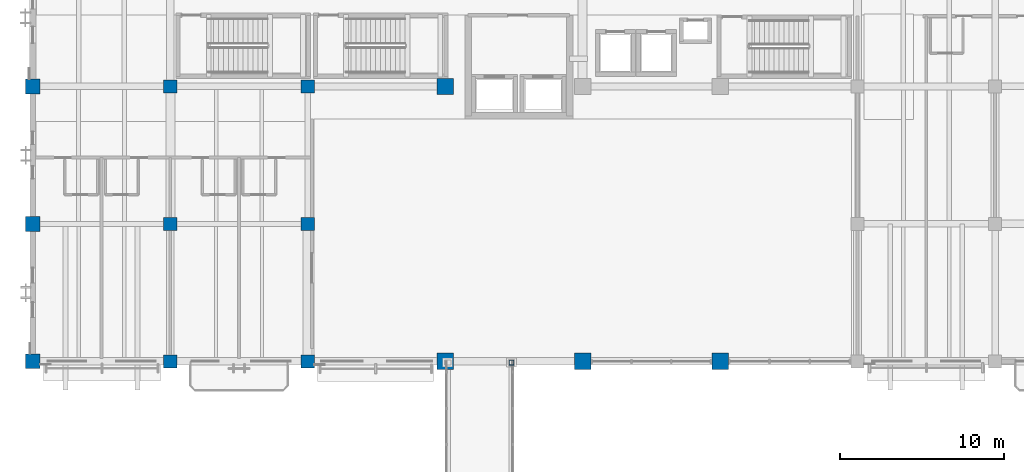
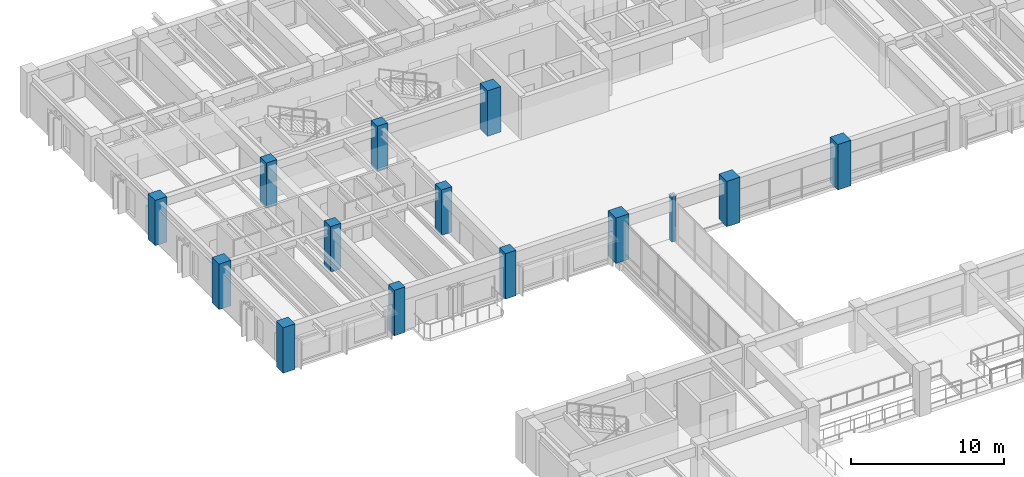
# One storey, part 6 of 118: 14 columns.
"""IFC4 building model written with IfcOpenShell, lengths in metres."""

from ifc_helpers import new_model, si_unit, direction, frame, origin, origin_2d, place, context, subcontext, project, spatial, rectangle, hollow_rectangle, extrude, material, material_profile, profile_set, type_object, element, save


model = new_model("IFC4")

# Units and contexts
model_context = context("Model", 3, precision=1e-05, world=origin(), true_north=direction((0.0, 1.0)))
body_context = subcontext(model_context, "Body", "Model", "MODEL_VIEW")
ifc_project = project(units=[si_unit("LENGTHUNIT", "METRE"), si_unit("AREAUNIT", "SQUARE_METRE"), si_unit("VOLUMEUNIT", "CUBIC_METRE"), si_unit("PLANEANGLEUNIT", "RADIAN"), si_unit("MASSUNIT", "GRAM", prefix="KILO")], contexts=[model_context])

# Site, building, storey
site_placement = place(None, origin())
site = spatial("IfcSite", under=ifc_project, at=site_placement, CompositionType="ELEMENT")
building_placement = place(site_placement, origin())
building = spatial("IfcBuilding", under=site, at=building_placement, Name="Cumbredor Promenade Congress Hotel", CompositionType="ELEMENT")
storey_placement = place(building_placement, frame((0.0, 0.0, 3.919921875)))
storey = spatial("IfcBuildingStorey", under=building, at=storey_placement, Name="L01", CompositionType="ELEMENT", Elevation=3.919921875)

# Columns
ifc_material_1 = material(Name="Concrete C50/60", Category="concrete")
ifc_material_profile_1 = material_profile(ifc_material_1, rectangle(XDim=1.0, YDim=1.0, at=origin_2d()), Name="RC 1000x1000")
ifc_profile_set_1 = profile_set([ifc_material_profile_1], Name="Concrete C50/60")
column_type_1 = type_object("IfcColumnType", Name="COL-RC-1000", PredefinedType="COLUMN", material=ifc_profile_set_1)
for number, where, z_axis, x_axis, name in (
    (1, (25.199951171875, 84.0, 0.0), (0.0, 0.0, 1.0), (1.0, 0.0, 0.0), "L01 Structural Column 036"),
    (2, (25.199951171875, 100.800048828125, 0.0), (0.0, 0.0, 1.0), (1.0, 0.0, 0.0), "L01 Structural Column 037"),
    (3, (33.60009765625, 84.0, 0.0), (0.0, 0.0, 1.0), (1.0, 0.0, 0.0), "L01 Structural Column 044"),
    (4, (42.0, 84.0, 0.0), (0.0, 0.0, 1.0), (1.0, 0.0, 0.0), "L01 Structural Column 052"),
):
    element("IfcColumn", number, at=place(storey_placement, frame(where, z_axis=z_axis, x_axis=x_axis)), inside=storey, type_object=column_type_1, Name=name, PredefinedType="COLUMN", context=body_context, shape_type="SweptSolid", body=[
        extrude(rectangle(XDim=1.0, YDim=1.0, at=origin_2d()), origin(), (0.0, 0.0, 1.0), 3.64013671875),
    ])
ifc_material_profile_2 = material_profile(ifc_material_1, rectangle(XDim=0.800048828125, YDim=0.800048828125, at=origin_2d()), Name="RC 800x800")
ifc_profile_set_2 = profile_set([ifc_material_profile_2], Name="Concrete C50/60")
column_type_2 = type_object("IfcColumnType", Name="COL-RC-800", PredefinedType="COLUMN", material=ifc_profile_set_2)
for number, where, z_axis, x_axis, name in (
    (5, (8.39990234375, 84.0, 0.0), (0.0, 0.0, 1.0), (1.0, 0.0, 0.0), "L01 Structural Column 014"),
    (6, (8.39990234375, 92.39990234375, 0.0), (0.0, 0.0, 1.0), (1.0, 0.0, 0.0), "L01 Structural Column 015"),
    (7, (8.39990234375, 100.800048828125, 0.0), (0.0, 0.0, 1.0), (1.0, 0.0, 0.0), "L01 Structural Column 016"),
    (8, (16.800048828125, 84.0, 0.0), (0.0, 0.0, 1.0), (1.0, 0.0, 0.0), "L01 Structural Column 027"),
    (9, (16.800048828125, 92.39990234375, 0.0), (0.0, 0.0, 1.0), (1.0, 0.0, 0.0), "L01 Structural Column 028"),
    (10, (16.800048828125, 100.800048828125, 0.0), (0.0, 0.0, 1.0), (1.0, 0.0, 0.0), "L01 Structural Column 029"),
):
    element("IfcColumn", number, at=place(storey_placement, frame(where, z_axis=z_axis, x_axis=x_axis)), inside=storey, type_object=column_type_2, Name=name, PredefinedType="COLUMN", context=body_context, shape_type="SweptSolid", body=[
        extrude(rectangle(XDim=0.800048828125, YDim=0.800048828125, at=origin_2d()), origin(), (0.0, 0.0, 1.0), 3.64013671875),
    ])
ifc_material_profile_3 = material_profile(ifc_material_1, rectangle(XDim=0.89990234375, YDim=0.89990234375, at=origin_2d()), Name="RC 900x900")
ifc_profile_set_3 = profile_set([ifc_material_profile_3], Name="Concrete C50/60")
column_type_3 = type_object("IfcColumnType", Name="COL-RC-900", PredefinedType="COLUMN", material=ifc_profile_set_3)
for number, where, z_axis, x_axis, name in (
    (11, (0.0, 84.0, 0.0), (0.0, 0.0, 1.0), (1.0, 0.0, 0.0), "L01 Structural Column 001"),
    (12, (0.0, 92.39990234375, 0.0), (0.0, 0.0, 1.0), (1.0, 0.0, 0.0), "L01 Structural Column 002"),
    (13, (0.0, 100.800048828125, 0.0), (0.0, 0.0, 1.0), (1.0, 0.0, 0.0), "L01 Structural Column 003"),
):
    element("IfcColumn", number, at=place(storey_placement, frame(where, z_axis=z_axis, x_axis=x_axis)), inside=storey, type_object=column_type_3, Name=name, PredefinedType="COLUMN", context=body_context, shape_type="SweptSolid", body=[
        extrude(rectangle(XDim=0.89990234375, YDim=0.89990234375, at=origin_2d()), origin(), (0.0, 0.0, 1.0), 3.64013671875),
    ])
ifc_material_2 = material(Name="Steel ASTM A500 Grade C", Category="steel")
ifc_material_profile_4 = material_profile(ifc_material_2, hollow_rectangle(XDim=0.300048828125, YDim=0.300048828125, WallThickness=0.01611328125, at=origin_2d()), Name="HSS 300x300x16")
ifc_profile_set_4 = profile_set([ifc_material_profile_4], Name="Steel ASTM A500 Grade C")
column_type_4 = type_object("IfcColumnType", Name="COL-STL-HSS300", PredefinedType="COLUMN", material=ifc_profile_set_4)
column_placement = place(storey_placement, frame((29.25, 83.919921875, 0.0), z_axis=(0.0, 0.0, 1.0), x_axis=(1.0, 0.0, 0.0)))
element("IfcColumn", 14, at=column_placement, inside=storey, type_object=column_type_4, Name="L01 West Congress-to-Hotel Glazed Bridge Support Column 4", PredefinedType="COLUMN", context=body_context, shape_type="SweptSolid", body=[
    extrude(hollow_rectangle(XDim=0.300048828125, YDim=0.300048828125, WallThickness=0.01611328125, at=origin_2d()), origin(), (0.0, 0.0, 1.0), 3.64013671875),
])

save(model, "model.ifc")
